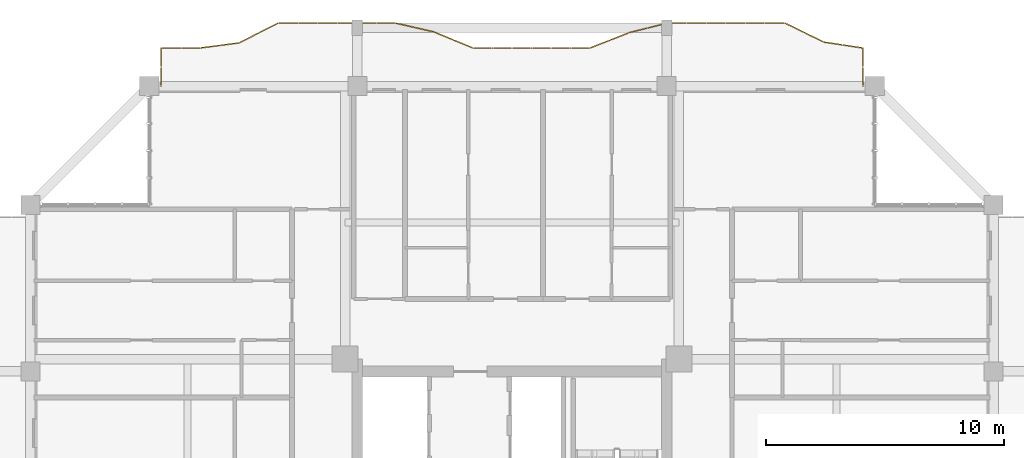
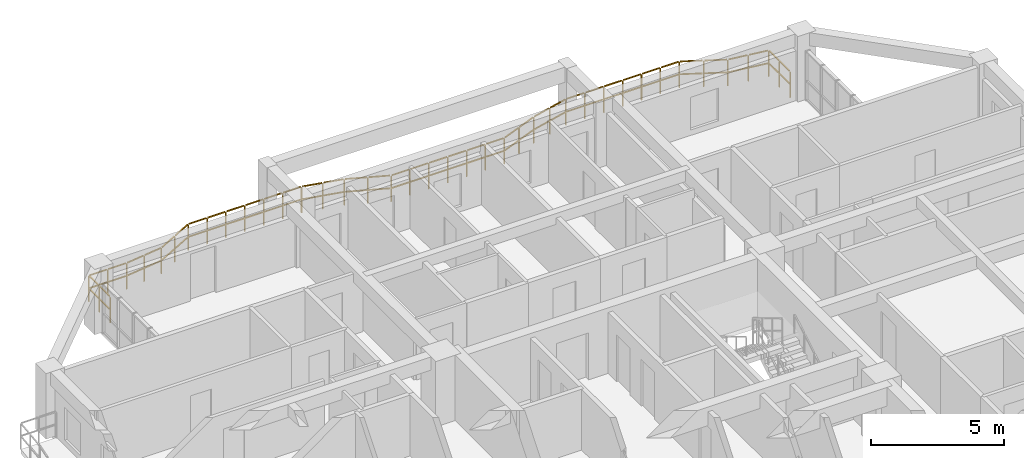
# One storey, part 21 of 21: 1 railing.
"""IFC4 building model written with IfcOpenShell, lengths in metres."""

from ifc_helpers import new_model, si_unit, direction, frame, origin, origin_2d, place, context, subcontext, project, spatial, rectangle, extrude, material, type_object, element, save


model = new_model("IFC4")

# Units and contexts
model_context = context("Model", 3, precision=1e-05, world=origin(), true_north=direction((0.0, 1.0)))
body_context = subcontext(model_context, "Body", "Model", "MODEL_VIEW")
ifc_project = project(units=[si_unit("LENGTHUNIT", "METRE"), si_unit("AREAUNIT", "SQUARE_METRE"), si_unit("VOLUMEUNIT", "CUBIC_METRE"), si_unit("PLANEANGLEUNIT", "RADIAN"), si_unit("MASSUNIT", "GRAM", prefix="KILO")], contexts=[model_context])

# Site, building, storey
site_placement = place(None, origin())
site = spatial("IfcSite", under=ifc_project, at=site_placement, CompositionType="ELEMENT")
building_placement = place(site_placement, origin())
building = spatial("IfcBuilding", under=site, at=building_placement, Name="Saelheon Loggia Tower", CompositionType="ELEMENT")
storey_placement = place(building_placement, frame((0.0, 0.0, 186.699951171875)))
storey = spatial("IfcBuildingStorey", under=building, at=storey_placement, Name="L58", CompositionType="ELEMENT", Elevation=186.699951171875)

# Railing
ifc_material = material(Name="Architectural Precast Concrete and Laminated Glass Guard", Category="concrete")
railing_type = type_object("IfcRailingType", Name="Guard_Loggia_RL_LOG", PredefinedType="BALUSTRADE", material=ifc_material)
railing_placement = place(storey_placement, frame((52.75, 48.0, 0.0)))
element("IfcRailing", 1, at=railing_placement, inside=storey, type_object=railing_type, Name="L58 North Loggia Balustrade", PredefinedType="BALUSTRADE", context=body_context, shape_type="SweptSolid", body=[
    extrude(rectangle(XDim=0.048095703125, YDim=0.048095703125, at=origin_2d()), frame((0.0, 0.033203125, 1.19580078125), z_axis=(0.0, 1.0, 0.0), x_axis=(-1.0, 0.0, 0.0)), (0.0, 0.0, 1.0), 0.733642578125),
    extrude(rectangle(XDim=0.048095703125, YDim=0.048095703125, at=origin_2d()), frame((0.0, 0.033203125, 0.60986328125), z_axis=(0.0, 1.0, 0.0), x_axis=(-1.0, 0.0, 0.0)), (0.0, 0.0, 1.0), 0.733642578125),
    extrude(rectangle(XDim=0.048095703125, YDim=0.048095703125, at=origin_2d()), frame((0.0, 0.833251953125, 1.19580078125), z_axis=(0.0, 1.0, 0.0), x_axis=(-1.0, 0.0, 0.0)), (0.0, 0.0, 1.0), 0.733642578125),
    extrude(rectangle(XDim=0.048095703125, YDim=0.048095703125, at=origin_2d()), frame((0.0, 0.833251953125, 0.60986328125), z_axis=(0.0, 1.0, 0.0), x_axis=(-1.0, 0.0, 0.0)), (0.0, 0.0, 1.0), 0.733642578125),
    extrude(rectangle(XDim=0.048095703125, YDim=0.048095703125, at=origin_2d()), frame((-0.032958984375, 1.60498046875, 1.19580078125), z_axis=(-0.988805238178, 0.149211933007, 0.0), x_axis=(-0.149211933007, -0.988805238178, 0.0)), (0.0, 0.0, 1.0), 0.76220703125),
    extrude(rectangle(XDim=0.048095703125, YDim=0.048095703125, at=origin_2d()), frame((-0.032958984375, 1.60498046875, 0.60986328125), z_axis=(-0.988805238178, 0.149211933007, 0.0), x_axis=(-0.149211933007, -0.988805238178, 0.0)), (0.0, 0.0, 1.0), 0.76220703125),
    extrude(rectangle(XDim=0.048095703125, YDim=0.048095703125, at=origin_2d()), frame((-0.852294921875, 1.728759765625, 1.19580078125), z_axis=(-0.988805238178, 0.149211933007, 0.0), x_axis=(-0.149211933007, -0.988805238178, 0.0)), (0.0, 0.0, 1.0), 0.76220703125),
    extrude(rectangle(XDim=0.048095703125, YDim=0.048095703125, at=origin_2d()), frame((-0.852294921875, 1.728759765625, 0.60986328125), z_axis=(-0.988805238178, 0.149211933007, 0.0), x_axis=(-0.149211933007, -0.988805238178, 0.0)), (0.0, 0.0, 1.0), 0.76220703125),
    extrude(rectangle(XDim=0.048095703125, YDim=0.048095703125, at=origin_2d()), frame((-1.668701171875, 1.862060546875, 1.19580078125), z_axis=(-0.898115551391, 0.439759543784, 0.0), x_axis=(-0.439759543784, -0.898115551391, 0.0)), (0.0, 0.0, 1.0), 0.845947265625),
    extrude(rectangle(XDim=0.048095703125, YDim=0.048095703125, at=origin_2d()), frame((-1.668701171875, 1.862060546875, 0.60986328125), z_axis=(-0.898115551391, 0.439759543784, 0.0), x_axis=(-0.439759543784, -0.898115551391, 0.0)), (0.0, 0.0, 1.0), 0.845947265625),
    extrude(rectangle(XDim=0.048095703125, YDim=0.048095703125, at=origin_2d()), frame((-2.48828125, 2.26318359375, 1.19580078125), z_axis=(-0.898115551391, 0.439759543784, 0.0), x_axis=(-0.439759543784, -0.898115551391, 0.0)), (0.0, 0.0, 1.0), 0.845947265625),
    extrude(rectangle(XDim=0.048095703125, YDim=0.048095703125, at=origin_2d()), frame((-2.48828125, 2.26318359375, 0.60986328125), z_axis=(-0.898115551391, 0.439759543784, 0.0), x_axis=(-0.439759543784, -0.898115551391, 0.0)), (0.0, 0.0, 1.0), 0.845947265625),
    extrude(rectangle(XDim=0.048095703125, YDim=0.048095703125, at=origin_2d()), frame((-3.31103515625, 2.64990234375, 1.19580078125), z_axis=(-1.0, 0.0, 0.0), x_axis=(0.0, -1.0, 0.0)), (0.0, 0.0, 1.0), 0.7529296875),
    extrude(rectangle(XDim=0.048095703125, YDim=0.048095703125, at=origin_2d()), frame((-3.31103515625, 2.64990234375, 0.60986328125), z_axis=(-1.0, 0.0, 0.0), x_axis=(0.0, -1.0, 0.0)), (0.0, 0.0, 1.0), 0.7529296875),
    extrude(rectangle(XDim=0.048095703125, YDim=0.048095703125, at=origin_2d()), frame((-4.130615234375, 2.64990234375, 1.19580078125), z_axis=(-1.0, 0.0, 0.0), x_axis=(0.0, -1.0, 0.0)), (0.0, 0.0, 1.0), 0.7529296875),
    extrude(rectangle(XDim=0.048095703125, YDim=0.048095703125, at=origin_2d()), frame((-4.130615234375, 2.64990234375, 0.60986328125), z_axis=(-1.0, 0.0, 0.0), x_axis=(0.0, -1.0, 0.0)), (0.0, 0.0, 1.0), 0.7529296875),
    extrude(rectangle(XDim=0.048095703125, YDim=0.048095703125, at=origin_2d()), frame((-4.949951171875, 2.64990234375, 1.19580078125), z_axis=(-1.0, 0.0, 0.0), x_axis=(0.0, -1.0, 0.0)), (0.0, 0.0, 1.0), 0.7529296875),
    extrude(rectangle(XDim=0.048095703125, YDim=0.048095703125, at=origin_2d()), frame((-4.949951171875, 2.64990234375, 0.60986328125), z_axis=(-1.0, 0.0, 0.0), x_axis=(0.0, -1.0, 0.0)), (0.0, 0.0, 1.0), 0.7529296875),
    extrude(rectangle(XDim=0.048095703125, YDim=0.048095703125, at=origin_2d()), frame((-5.76953125, 2.64990234375, 1.19580078125), z_axis=(-1.0, 0.0, 0.0), x_axis=(0.0, -1.0, 0.0)), (0.0, 0.0, 1.0), 0.7529296875),
    extrude(rectangle(XDim=0.048095703125, YDim=0.048095703125, at=origin_2d()), frame((-5.76953125, 2.64990234375, 0.60986328125), z_axis=(-1.0, 0.0, 0.0), x_axis=(0.0, -1.0, 0.0)), (0.0, 0.0, 1.0), 0.7529296875),
    extrude(rectangle(XDim=0.048095703125, YDim=0.048095703125, at=origin_2d()), frame((-6.5888671875, 2.64990234375, 1.19580078125), z_axis=(-1.0, 0.0, 0.0), x_axis=(0.0, -1.0, 0.0)), (0.0, 0.0, 1.0), 0.7529296875),
    extrude(rectangle(XDim=0.048095703125, YDim=0.048095703125, at=origin_2d()), frame((-6.5888671875, 2.64990234375, 0.60986328125), z_axis=(-1.0, 0.0, 0.0), x_axis=(0.0, -1.0, 0.0)), (0.0, 0.0, 1.0), 0.7529296875),
    extrude(rectangle(XDim=0.048095703125, YDim=0.048095703125, at=origin_2d()), frame((-7.408203125, 2.64990234375, 1.19580078125), z_axis=(-1.0, 0.0, 0.0), x_axis=(0.0, -1.0, 0.0)), (0.0, 0.0, 1.0), 0.7529296875),
    extrude(rectangle(XDim=0.048095703125, YDim=0.048095703125, at=origin_2d()), frame((-7.408203125, 2.64990234375, 0.60986328125), z_axis=(-1.0, 0.0, 0.0), x_axis=(0.0, -1.0, 0.0)), (0.0, 0.0, 1.0), 0.7529296875),
    extrude(rectangle(XDim=0.048095703125, YDim=0.048095703125, at=origin_2d()), frame((-8.2265625, 2.641845703125, 1.19580078125), z_axis=(-0.970184992102, -0.242365593886, 0.0), x_axis=(0.242365593886, -0.970184992102, 0.0)), (0.0, 0.0, 1.0), 0.778076171875),
    extrude(rectangle(XDim=0.048095703125, YDim=0.048095703125, at=origin_2d()), frame((-8.2265625, 2.641845703125, 0.60986328125), z_axis=(-0.970184992102, -0.242365593886, 0.0), x_axis=(0.242365593886, -0.970184992102, 0.0)), (0.0, 0.0, 1.0), 0.778076171875),
    extrude(rectangle(XDim=0.048095703125, YDim=0.048095703125, at=origin_2d()), frame((-9.046142578125, 2.437255859375, 1.19580078125), z_axis=(-0.970184992102, -0.242365593886, 0.0), x_axis=(0.242365593886, -0.970184992102, 0.0)), (0.0, 0.0, 1.0), 0.778076171875),
    extrude(rectangle(XDim=0.048095703125, YDim=0.048095703125, at=origin_2d()), frame((-9.046142578125, 2.437255859375, 0.60986328125), z_axis=(-0.970184992102, -0.242365593886, 0.0), x_axis=(0.242365593886, -0.970184992102, 0.0)), (0.0, 0.0, 1.0), 0.778076171875),
    extrude(rectangle(XDim=0.048095703125, YDim=0.048095703125, at=origin_2d()), frame((-9.8642578125, 2.228271484375, 1.19580078125), z_axis=(-0.931422812302, -0.363938929937, 0.0), x_axis=(0.363938929937, -0.931422812302, 0.0)), (0.0, 0.0, 1.0), 0.813232421875),
    extrude(rectangle(XDim=0.048095703125, YDim=0.048095703125, at=origin_2d()), frame((-9.8642578125, 2.228271484375, 0.60986328125), z_axis=(-0.931422812302, -0.363938929937, 0.0), x_axis=(0.363938929937, -0.931422812302, 0.0)), (0.0, 0.0, 1.0), 0.813232421875),
    extrude(rectangle(XDim=0.048095703125, YDim=0.048095703125, at=origin_2d()), frame((-10.68359375, 1.908203125, 1.19580078125), z_axis=(-0.931422812302, -0.363938929937, 0.0), x_axis=(0.363938929937, -0.931422812302, 0.0)), (0.0, 0.0, 1.0), 0.813232421875),
    extrude(rectangle(XDim=0.048095703125, YDim=0.048095703125, at=origin_2d()), frame((-10.68359375, 1.908203125, 0.60986328125), z_axis=(-0.931422812302, -0.363938929937, 0.0), x_axis=(0.363938929937, -0.931422812302, 0.0)), (0.0, 0.0, 1.0), 0.813232421875),
    extrude(rectangle(XDim=0.048095703125, YDim=0.048095703125, at=origin_2d()), frame((-11.50537109375, 1.60009765625, 1.19580078125), z_axis=(-1.0, 0.0, 0.0), x_axis=(0.0, -1.0, 0.0)), (0.0, 0.0, 1.0), 0.7529296875),
    extrude(rectangle(XDim=0.048095703125, YDim=0.048095703125, at=origin_2d()), frame((-11.50537109375, 1.60009765625, 0.60986328125), z_axis=(-1.0, 0.0, 0.0), x_axis=(0.0, -1.0, 0.0)), (0.0, 0.0, 1.0), 0.7529296875),
    extrude(rectangle(XDim=0.048095703125, YDim=0.048095703125, at=origin_2d()), frame((-12.324951171875, 1.60009765625, 1.19580078125), z_axis=(-1.0, 0.0, 0.0), x_axis=(0.0, -1.0, 0.0)), (0.0, 0.0, 1.0), 0.7529296875),
    extrude(rectangle(XDim=0.048095703125, YDim=0.048095703125, at=origin_2d()), frame((-12.324951171875, 1.60009765625, 0.60986328125), z_axis=(-1.0, 0.0, 0.0), x_axis=(0.0, -1.0, 0.0)), (0.0, 0.0, 1.0), 0.7529296875),
    extrude(rectangle(XDim=0.048095703125, YDim=0.048095703125, at=origin_2d()), frame((-13.144287109375, 1.60009765625, 1.19580078125), z_axis=(-1.0, 0.0, 0.0), x_axis=(0.0, -1.0, 0.0)), (0.0, 0.0, 1.0), 0.7529296875),
    extrude(rectangle(XDim=0.048095703125, YDim=0.048095703125, at=origin_2d()), frame((-13.144287109375, 1.60009765625, 0.60986328125), z_axis=(-1.0, 0.0, 0.0), x_axis=(0.0, -1.0, 0.0)), (0.0, 0.0, 1.0), 0.7529296875),
    extrude(rectangle(XDim=0.048095703125, YDim=0.048095703125, at=origin_2d()), frame((-13.9638671875, 1.60009765625, 1.19580078125), z_axis=(-1.0, 0.0, 0.0), x_axis=(0.0, -1.0, 0.0)), (0.0, 0.0, 1.0), 0.7529296875),
    extrude(rectangle(XDim=0.048095703125, YDim=0.048095703125, at=origin_2d()), frame((-13.9638671875, 1.60009765625, 0.60986328125), z_axis=(-1.0, 0.0, 0.0), x_axis=(0.0, -1.0, 0.0)), (0.0, 0.0, 1.0), 0.7529296875),
    extrude(rectangle(XDim=0.048095703125, YDim=0.048095703125, at=origin_2d()), frame((-14.783203125, 1.60009765625, 1.19580078125), z_axis=(-1.0, 0.0, 0.0), x_axis=(0.0, -1.0, 0.0)), (0.0, 0.0, 1.0), 0.7529296875),
    extrude(rectangle(XDim=0.048095703125, YDim=0.048095703125, at=origin_2d()), frame((-14.783203125, 1.60009765625, 0.60986328125), z_axis=(-1.0, 0.0, 0.0), x_axis=(0.0, -1.0, 0.0)), (0.0, 0.0, 1.0), 0.7529296875),
    extrude(rectangle(XDim=0.048095703125, YDim=0.048095703125, at=origin_2d()), frame((-15.602783203125, 1.60009765625, 1.19580078125), z_axis=(-1.0, 0.0, 0.0), x_axis=(0.0, -1.0, 0.0)), (0.0, 0.0, 1.0), 0.7529296875),
    extrude(rectangle(XDim=0.048095703125, YDim=0.048095703125, at=origin_2d()), frame((-15.602783203125, 1.60009765625, 0.60986328125), z_axis=(-1.0, 0.0, 0.0), x_axis=(0.0, -1.0, 0.0)), (0.0, 0.0, 1.0), 0.7529296875),
    extrude(rectangle(XDim=0.048095703125, YDim=0.048095703125, at=origin_2d()), frame((-16.419677734375, 1.61279296875, 1.19580078125), z_axis=(-0.924929002616, 0.380139895459, 0.0), x_axis=(-0.380139895459, -0.924929002616, 0.0)), (0.0, 0.0, 1.0), 0.819580078125),
    extrude(rectangle(XDim=0.048095703125, YDim=0.048095703125, at=origin_2d()), frame((-16.419677734375, 1.61279296875, 0.60986328125), z_axis=(-0.924929002616, 0.380139895459, 0.0), x_axis=(-0.380139895459, -0.924929002616, 0.0)), (0.0, 0.0, 1.0), 0.819580078125),
    extrude(rectangle(XDim=0.048095703125, YDim=0.048095703125, at=origin_2d()), frame((-17.239013671875, 1.949462890625, 1.19580078125), z_axis=(-0.924929002616, 0.380139895459, 0.0), x_axis=(-0.380139895459, -0.924929002616, 0.0)), (0.0, 0.0, 1.0), 0.819580078125),
    extrude(rectangle(XDim=0.048095703125, YDim=0.048095703125, at=origin_2d()), frame((-17.239013671875, 1.949462890625, 0.60986328125), z_axis=(-0.924929002616, 0.380139895459, 0.0), x_axis=(-0.380139895459, -0.924929002616, 0.0)), (0.0, 0.0, 1.0), 0.819580078125),
    extrude(rectangle(XDim=0.048095703125, YDim=0.048095703125, at=origin_2d()), frame((-18.060302734375, 2.281005859375, 1.19580078125), z_axis=(-0.974649928996, 0.223735370264, 0.0), x_axis=(-0.223735370264, -0.974649928996, 0.0)), (0.0, 0.0, 1.0), 0.7744140625),
    extrude(rectangle(XDim=0.048095703125, YDim=0.048095703125, at=origin_2d()), frame((-18.060302734375, 2.281005859375, 0.60986328125), z_axis=(-0.974649928996, 0.223735370264, 0.0), x_axis=(-0.223735370264, -0.974649928996, 0.0)), (0.0, 0.0, 1.0), 0.7744140625),
    extrude(rectangle(XDim=0.048095703125, YDim=0.048095703125, at=origin_2d()), frame((-18.879638671875, 2.46923828125, 1.19580078125), z_axis=(-0.974649928996, 0.223735370264, 0.0), x_axis=(-0.223735370264, -0.974649928996, 0.0)), (0.0, 0.0, 1.0), 0.7744140625),
    extrude(rectangle(XDim=0.048095703125, YDim=0.048095703125, at=origin_2d()), frame((-18.879638671875, 2.46923828125, 0.60986328125), z_axis=(-0.974649928996, 0.223735370264, 0.0), x_axis=(-0.223735370264, -0.974649928996, 0.0)), (0.0, 0.0, 1.0), 0.7744140625),
    extrude(rectangle(XDim=0.048095703125, YDim=0.048095703125, at=origin_2d()), frame((-19.699951171875, 2.64990234375, 1.19580078125), z_axis=(-1.0, 0.0, 0.0), x_axis=(0.0, -1.0, 0.0)), (0.0, 0.0, 1.0), 0.7529296875),
    extrude(rectangle(XDim=0.048095703125, YDim=0.048095703125, at=origin_2d()), frame((-19.699951171875, 2.64990234375, 0.60986328125), z_axis=(-1.0, 0.0, 0.0), x_axis=(0.0, -1.0, 0.0)), (0.0, 0.0, 1.0), 0.7529296875),
    extrude(rectangle(XDim=0.048095703125, YDim=0.048095703125, at=origin_2d()), frame((-20.51953125, 2.64990234375, 1.19580078125), z_axis=(-1.0, 0.0, 0.0), x_axis=(0.0, -1.0, 0.0)), (0.0, 0.0, 1.0), 0.7529296875),
    extrude(rectangle(XDim=0.048095703125, YDim=0.048095703125, at=origin_2d()), frame((-20.51953125, 2.64990234375, 0.60986328125), z_axis=(-1.0, 0.0, 0.0), x_axis=(0.0, -1.0, 0.0)), (0.0, 0.0, 1.0), 0.7529296875),
    extrude(rectangle(XDim=0.048095703125, YDim=0.048095703125, at=origin_2d()), frame((-21.3388671875, 2.64990234375, 1.19580078125), z_axis=(-1.0, 0.0, 0.0), x_axis=(0.0, -1.0, 0.0)), (0.0, 0.0, 1.0), 0.7529296875),
    extrude(rectangle(XDim=0.048095703125, YDim=0.048095703125, at=origin_2d()), frame((-21.3388671875, 2.64990234375, 0.60986328125), z_axis=(-1.0, 0.0, 0.0), x_axis=(0.0, -1.0, 0.0)), (0.0, 0.0, 1.0), 0.7529296875),
    extrude(rectangle(XDim=0.048095703125, YDim=0.048095703125, at=origin_2d()), frame((-22.158203125, 2.64990234375, 1.19580078125), z_axis=(-1.0, 0.0, 0.0), x_axis=(0.0, -1.0, 0.0)), (0.0, 0.0, 1.0), 0.7529296875),
    extrude(rectangle(XDim=0.048095703125, YDim=0.048095703125, at=origin_2d()), frame((-22.158203125, 2.64990234375, 0.60986328125), z_axis=(-1.0, 0.0, 0.0), x_axis=(0.0, -1.0, 0.0)), (0.0, 0.0, 1.0), 0.7529296875),
    extrude(rectangle(XDim=0.048095703125, YDim=0.048095703125, at=origin_2d()), frame((-22.9775390625, 2.64990234375, 1.19580078125), z_axis=(-1.0, 0.0, 0.0), x_axis=(0.0, -1.0, 0.0)), (0.0, 0.0, 1.0), 0.7529296875),
    extrude(rectangle(XDim=0.048095703125, YDim=0.048095703125, at=origin_2d()), frame((-22.9775390625, 2.64990234375, 0.60986328125), z_axis=(-1.0, 0.0, 0.0), x_axis=(0.0, -1.0, 0.0)), (0.0, 0.0, 1.0), 0.7529296875),
    extrude(rectangle(XDim=0.048095703125, YDim=0.048095703125, at=origin_2d()), frame((-23.797119140625, 2.64990234375, 1.19580078125), z_axis=(-1.0, 0.0, 0.0), x_axis=(0.0, -1.0, 0.0)), (0.0, 0.0, 1.0), 0.7529296875),
    extrude(rectangle(XDim=0.048095703125, YDim=0.048095703125, at=origin_2d()), frame((-23.797119140625, 2.64990234375, 0.60986328125), z_axis=(-1.0, 0.0, 0.0), x_axis=(0.0, -1.0, 0.0)), (0.0, 0.0, 1.0), 0.7529296875),
    extrude(rectangle(XDim=0.048095703125, YDim=0.048095703125, at=origin_2d()), frame((-24.61279296875, 2.634765625, 1.19580078125), z_axis=(-0.891084064412, -0.453838286344, 0.0), x_axis=(0.453838286344, -0.891084064412, 0.0)), (0.0, 0.0, 1.0), 0.853271484375),
    extrude(rectangle(XDim=0.048095703125, YDim=0.048095703125, at=origin_2d()), frame((-24.61279296875, 2.634765625, 0.60986328125), z_axis=(-0.891084064412, -0.453838286344, 0.0), x_axis=(0.453838286344, -0.891084064412, 0.0)), (0.0, 0.0, 1.0), 0.853271484375),
    extrude(rectangle(XDim=0.048095703125, YDim=0.048095703125, at=origin_2d()), frame((-25.432373046875, 2.217529296875, 1.19580078125), z_axis=(-0.891084064412, -0.453838286344, 0.0), x_axis=(0.453838286344, -0.891084064412, 0.0)), (0.0, 0.0, 1.0), 0.853271484375),
    extrude(rectangle(XDim=0.048095703125, YDim=0.048095703125, at=origin_2d()), frame((-25.432373046875, 2.217529296875, 0.60986328125), z_axis=(-0.891084064412, -0.453838286344, 0.0), x_axis=(0.453838286344, -0.891084064412, 0.0)), (0.0, 0.0, 1.0), 0.853271484375),
    extrude(rectangle(XDim=0.048095703125, YDim=0.048095703125, at=origin_2d()), frame((-26.255126953125, 1.810791015625, 1.19580078125), z_axis=(-0.991497976184, -0.130122108896, 0.0), x_axis=(0.130122108896, -0.991497976184, 0.0)), (0.0, 0.0, 1.0), 0.760009765625),
    extrude(rectangle(XDim=0.048095703125, YDim=0.048095703125, at=origin_2d()), frame((-26.255126953125, 1.810791015625, 0.60986328125), z_axis=(-0.991497976184, -0.130122108896, 0.0), x_axis=(0.130122108896, -0.991497976184, 0.0)), (0.0, 0.0, 1.0), 0.760009765625),
    extrude(rectangle(XDim=0.048095703125, YDim=0.048095703125, at=origin_2d()), frame((-27.074462890625, 1.703369140625, 1.19580078125), z_axis=(-0.991497976184, -0.130122108896, 0.0), x_axis=(0.130122108896, -0.991497976184, 0.0)), (0.0, 0.0, 1.0), 0.760009765625),
    extrude(rectangle(XDim=0.048095703125, YDim=0.048095703125, at=origin_2d()), frame((-27.074462890625, 1.703369140625, 0.60986328125), z_axis=(-0.991497976184, -0.130122108896, 0.0), x_axis=(0.130122108896, -0.991497976184, 0.0)), (0.0, 0.0, 1.0), 0.760009765625),
    extrude(rectangle(XDim=0.048095703125, YDim=0.048095703125, at=origin_2d()), frame((-27.894287109375, 1.60009765625, 1.19580078125), z_axis=(-1.0, 0.0, 0.0), x_axis=(0.0, -1.0, 0.0)), (0.0, 0.0, 1.0), 0.7529296875),
    extrude(rectangle(XDim=0.048095703125, YDim=0.048095703125, at=origin_2d()), frame((-27.894287109375, 1.60009765625, 0.60986328125), z_axis=(-1.0, 0.0, 0.0), x_axis=(0.0, -1.0, 0.0)), (0.0, 0.0, 1.0), 0.7529296875),
    extrude(rectangle(XDim=0.048095703125, YDim=0.048095703125, at=origin_2d()), frame((-28.7138671875, 1.60009765625, 1.19580078125), z_axis=(-1.0, 0.0, 0.0), x_axis=(0.0, -1.0, 0.0)), (0.0, 0.0, 1.0), 0.7529296875),
    extrude(rectangle(XDim=0.048095703125, YDim=0.048095703125, at=origin_2d()), frame((-28.7138671875, 1.60009765625, 0.60986328125), z_axis=(-1.0, 0.0, 0.0), x_axis=(0.0, -1.0, 0.0)), (0.0, 0.0, 1.0), 0.7529296875),
    extrude(rectangle(XDim=0.048095703125, YDim=0.048095703125, at=origin_2d()), frame((-29.5, 1.56689453125, 1.19580078125), z_axis=(0.0, -1.0, 0.0), x_axis=(1.0, 0.0, 0.0)), (0.0, 0.0, 1.0), 0.733642578125),
    extrude(rectangle(XDim=0.048095703125, YDim=0.048095703125, at=origin_2d()), frame((-29.5, 1.56689453125, 0.60986328125), z_axis=(0.0, -1.0, 0.0), x_axis=(1.0, 0.0, 0.0)), (0.0, 0.0, 1.0), 0.733642578125),
    extrude(rectangle(XDim=0.048095703125, YDim=0.048095703125, at=origin_2d()), frame((-29.5, 0.766845703125, 1.19580078125), z_axis=(0.0, -1.0, 0.0), x_axis=(1.0, 0.0, 0.0)), (0.0, 0.0, 1.0), 0.733642578125),
    extrude(rectangle(XDim=0.048095703125, YDim=0.048095703125, at=origin_2d()), frame((-29.5, 0.766845703125, 0.60986328125), z_axis=(0.0, -1.0, 0.0), x_axis=(1.0, 0.0, 0.0)), (0.0, 0.0, 1.0), 0.733642578125),
    extrude(rectangle(XDim=0.0419921875, YDim=0.0419921875, at=origin_2d()), origin(), (0.0, 0.0, 1.0), 1.16796875),
    extrude(rectangle(XDim=0.0419921875, YDim=0.0419921875, at=origin_2d()), frame((0.0, 0.800048828125, 0.0)), (0.0, 0.0, 1.0), 1.16796875),
    extrude(rectangle(XDim=0.0419921875, YDim=0.0419921875, at=origin_2d()), frame((0.0, 1.60009765625, 0.0)), (0.0, 0.0, 1.0), 1.16796875),
    extrude(rectangle(XDim=0.0419921875, YDim=0.0419921875, at=origin_2d()), frame((-0.8193359375, 1.7236328125, 0.0)), (0.0, 0.0, 1.0), 1.16796875),
    extrude(rectangle(XDim=0.0419921875, YDim=0.0419921875, at=origin_2d()), frame((-1.638916015625, 1.847412109375, 0.0)), (0.0, 0.0, 1.0), 1.16796875),
    extrude(rectangle(XDim=0.0419921875, YDim=0.0419921875, at=origin_2d()), frame((-2.45849609375, 2.24853515625, 0.0)), (0.0, 0.0, 1.0), 1.16796875),
    extrude(rectangle(XDim=0.0419921875, YDim=0.0419921875, at=origin_2d()), frame((-3.27783203125, 2.64990234375, 0.0)), (0.0, 0.0, 1.0), 1.16796875),
    extrude(rectangle(XDim=0.0419921875, YDim=0.0419921875, at=origin_2d()), frame((-4.09716796875, 2.64990234375, 0.0)), (0.0, 0.0, 1.0), 1.16796875),
    extrude(rectangle(XDim=0.0419921875, YDim=0.0419921875, at=origin_2d()), frame((-4.916748046875, 2.64990234375, 0.0)), (0.0, 0.0, 1.0), 1.16796875),
    extrude(rectangle(XDim=0.0419921875, YDim=0.0419921875, at=origin_2d()), frame((-5.736328125, 2.64990234375, 0.0)), (0.0, 0.0, 1.0), 1.16796875),
    extrude(rectangle(XDim=0.0419921875, YDim=0.0419921875, at=origin_2d()), frame((-6.5556640625, 2.64990234375, 0.0)), (0.0, 0.0, 1.0), 1.16796875),
    extrude(rectangle(XDim=0.0419921875, YDim=0.0419921875, at=origin_2d()), frame((-7.375, 2.64990234375, 0.0)), (0.0, 0.0, 1.0), 1.16796875),
    extrude(rectangle(XDim=0.0419921875, YDim=0.0419921875, at=origin_2d()), frame((-8.1943359375, 2.64990234375, 0.0)), (0.0, 0.0, 1.0), 1.16796875),
    extrude(rectangle(XDim=0.0419921875, YDim=0.0419921875, at=origin_2d()), frame((-9.013671875, 2.4453125, 0.0)), (0.0, 0.0, 1.0), 1.16796875),
    extrude(rectangle(XDim=0.0419921875, YDim=0.0419921875, at=origin_2d()), frame((-9.833251953125, 2.240478515625, 0.0)), (0.0, 0.0, 1.0), 1.16796875),
    extrude(rectangle(XDim=0.0419921875, YDim=0.0419921875, at=origin_2d()), frame((-10.65283203125, 1.92041015625, 0.0)), (0.0, 0.0, 1.0), 1.16796875),
    extrude(rectangle(XDim=0.0419921875, YDim=0.0419921875, at=origin_2d()), frame((-11.47216796875, 1.60009765625, 0.0)), (0.0, 0.0, 1.0), 1.16796875),
    extrude(rectangle(XDim=0.0419921875, YDim=0.0419921875, at=origin_2d()), frame((-12.29150390625, 1.60009765625, 0.0)), (0.0, 0.0, 1.0), 1.16796875),
    extrude(rectangle(XDim=0.0419921875, YDim=0.0419921875, at=origin_2d()), frame((-13.111083984375, 1.60009765625, 0.0)), (0.0, 0.0, 1.0), 1.16796875),
    extrude(rectangle(XDim=0.0419921875, YDim=0.0419921875, at=origin_2d()), frame((-13.9306640625, 1.60009765625, 0.0)), (0.0, 0.0, 1.0), 1.16796875),
    extrude(rectangle(XDim=0.0419921875, YDim=0.0419921875, at=origin_2d()), frame((-14.75, 1.60009765625, 0.0)), (0.0, 0.0, 1.0), 1.16796875),
    extrude(rectangle(XDim=0.0419921875, YDim=0.0419921875, at=origin_2d()), frame((-15.5693359375, 1.60009765625, 0.0)), (0.0, 0.0, 1.0), 1.16796875),
    extrude(rectangle(XDim=0.0419921875, YDim=0.0419921875, at=origin_2d()), frame((-16.388916015625, 1.60009765625, 0.0)), (0.0, 0.0, 1.0), 1.16796875),
    extrude(rectangle(XDim=0.0419921875, YDim=0.0419921875, at=origin_2d()), frame((-17.20849609375, 1.93701171875, 0.0)), (0.0, 0.0, 1.0), 1.16796875),
    extrude(rectangle(XDim=0.0419921875, YDim=0.0419921875, at=origin_2d()), frame((-18.02783203125, 2.273681640625, 0.0)), (0.0, 0.0, 1.0), 1.16796875),
    extrude(rectangle(XDim=0.0419921875, YDim=0.0419921875, at=origin_2d()), frame((-18.84716796875, 2.4619140625, 0.0)), (0.0, 0.0, 1.0), 1.16796875),
    extrude(rectangle(XDim=0.0419921875, YDim=0.0419921875, at=origin_2d()), frame((-19.666748046875, 2.64990234375, 0.0)), (0.0, 0.0, 1.0), 1.16796875),
    extrude(rectangle(XDim=0.0419921875, YDim=0.0419921875, at=origin_2d()), frame((-20.486328125, 2.64990234375, 0.0)), (0.0, 0.0, 1.0), 1.16796875),
    extrude(rectangle(XDim=0.0419921875, YDim=0.0419921875, at=origin_2d()), frame((-21.3056640625, 2.64990234375, 0.0)), (0.0, 0.0, 1.0), 1.16796875),
    extrude(rectangle(XDim=0.0419921875, YDim=0.0419921875, at=origin_2d()), frame((-22.125, 2.64990234375, 0.0)), (0.0, 0.0, 1.0), 1.16796875),
    extrude(rectangle(XDim=0.0419921875, YDim=0.0419921875, at=origin_2d()), frame((-22.9443359375, 2.64990234375, 0.0)), (0.0, 0.0, 1.0), 1.16796875),
    extrude(rectangle(XDim=0.0419921875, YDim=0.0419921875, at=origin_2d()), frame((-23.763671875, 2.64990234375, 0.0)), (0.0, 0.0, 1.0), 1.16796875),
    extrude(rectangle(XDim=0.0419921875, YDim=0.0419921875, at=origin_2d()), frame((-24.583251953125, 2.64990234375, 0.0)), (0.0, 0.0, 1.0), 1.16796875),
    extrude(rectangle(XDim=0.0419921875, YDim=0.0419921875, at=origin_2d()), frame((-25.40283203125, 2.232421875, 0.0)), (0.0, 0.0, 1.0), 1.16796875),
    extrude(rectangle(XDim=0.0419921875, YDim=0.0419921875, at=origin_2d()), frame((-26.22216796875, 1.815185546875, 0.0)), (0.0, 0.0, 1.0), 1.16796875),
    extrude(rectangle(XDim=0.0419921875, YDim=0.0419921875, at=origin_2d()), frame((-27.04150390625, 1.70751953125, 0.0)), (0.0, 0.0, 1.0), 1.16796875),
    extrude(rectangle(XDim=0.0419921875, YDim=0.0419921875, at=origin_2d()), frame((-27.861083984375, 1.60009765625, 0.0)), (0.0, 0.0, 1.0), 1.16796875),
    extrude(rectangle(XDim=0.0419921875, YDim=0.0419921875, at=origin_2d()), frame((-28.6806640625, 1.60009765625, 0.0)), (0.0, 0.0, 1.0), 1.16796875),
    extrude(rectangle(XDim=0.0419921875, YDim=0.0419921875, at=origin_2d()), frame((-29.5, 1.60009765625, 0.0)), (0.0, 0.0, 1.0), 1.16796875),
    extrude(rectangle(XDim=0.0419921875, YDim=0.0419921875, at=origin_2d()), frame((-29.5, 0.800048828125, 0.0)), (0.0, 0.0, 1.0), 1.16796875),
    extrude(rectangle(XDim=0.0419921875, YDim=0.0419921875, at=origin_2d()), frame((-29.5, 0.0, 0.0)), (0.0, 0.0, 1.0), 1.16796875),
])

save(model, "model.ifc")
